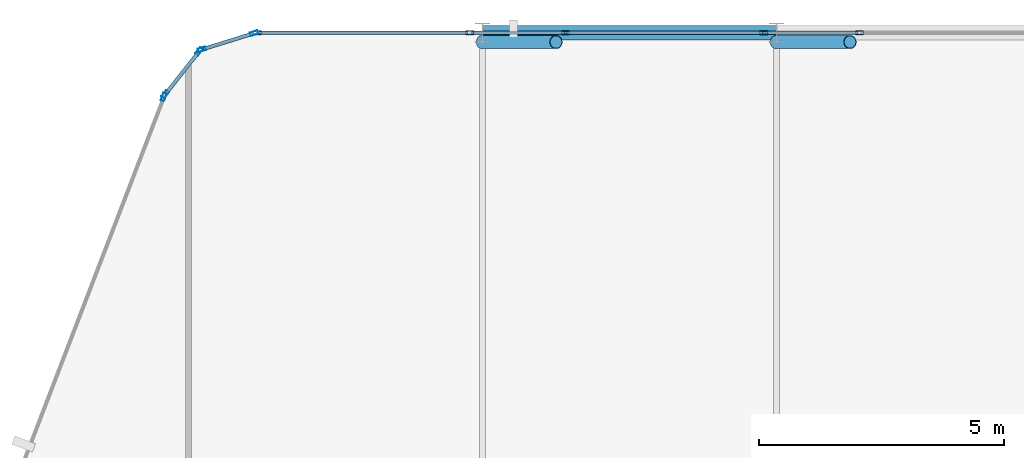
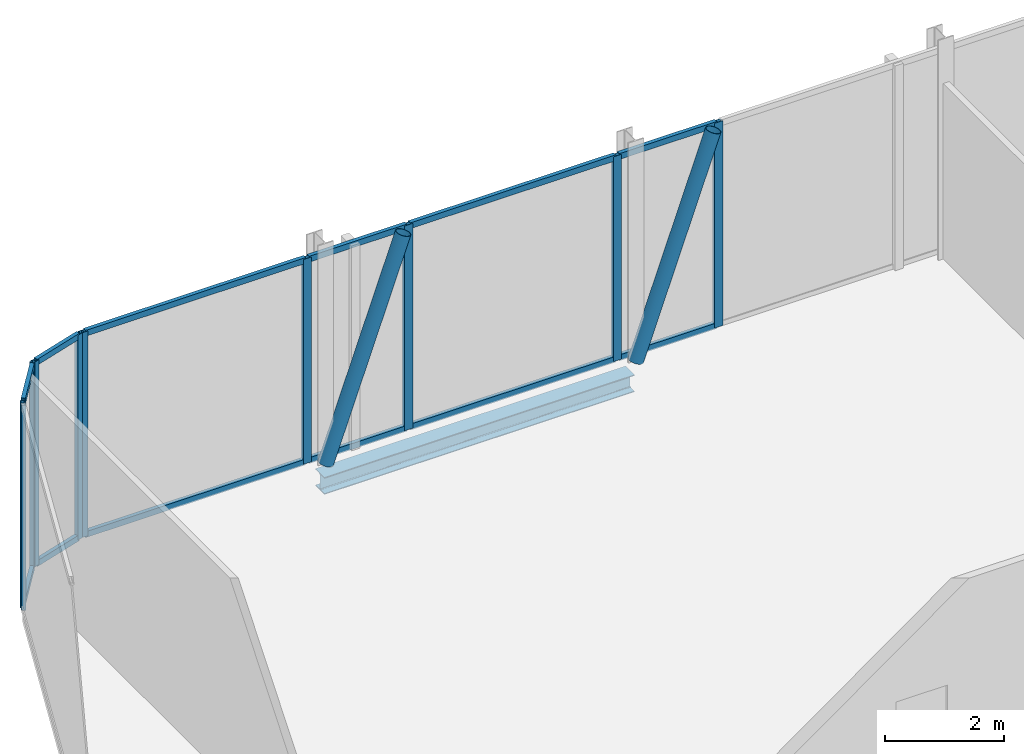
# One storey, part 14 of 24: 24 members, 1 beam, 7 elements without a shape of their own.
"""IFC4 building model written with IfcOpenShell, lengths in metres."""

from ifc_helpers import new_model, si_unit, direction, frame, origin, origin_2d, place, context, subcontext, project, spatial, hollow_rectangle, hollow_circle, i_section, extrude, material, layer, layer_set, material_profile, profile_set, type_object, element, aggregate, save


model = new_model("IFC4")

# Units and contexts
model_context = context("Model", 3, precision=1e-05, world=origin(), true_north=direction((0.0, 1.0)))
body_context = subcontext(model_context, "Body", "Model", "MODEL_VIEW")
ifc_project = project(units=[si_unit("LENGTHUNIT", "METRE"), si_unit("AREAUNIT", "SQUARE_METRE"), si_unit("VOLUMEUNIT", "CUBIC_METRE"), si_unit("PLANEANGLEUNIT", "RADIAN"), si_unit("MASSUNIT", "GRAM", prefix="KILO")], contexts=[model_context])

# Site, building, storey
site_placement = place(None, origin())
site = spatial("IfcSite", under=ifc_project, at=site_placement, CompositionType="ELEMENT")
building_placement = place(site_placement, origin())
building = spatial("IfcBuilding", under=site, at=building_placement, Name="Keshet Zoharim Tower", CompositionType="ELEMENT")
storey_placement = place(building_placement, frame((0.0, 0.0, 242.800048828125)))
storey = spatial("IfcBuildingStorey", under=building, at=storey_placement, Name="L60", CompositionType="ELEMENT", Elevation=242.800048828125)

# Beam
ifc_material_1 = material(Name="Steel S355", Category="steel")
ifc_material_profile_1 = material_profile(ifc_material_1, i_section(OverallWidth=0.300048828125, OverallDepth=0.35009765625, WebThickness=0.010009765625, FlangeThickness=0.017578125, FilletRadius=0.027099609375, at=origin_2d()), Name="HEA360")
ifc_profile_set_1 = profile_set([ifc_material_profile_1], Name="Steel S355")
beam_type = type_object("IfcBeamType", Name="BM-PRI-HA360", PredefinedType="BEAM", material=ifc_profile_set_1)
beam_placement = place(storey_placement, frame((21.0, 53.89990234375, -0.4951171875), z_axis=(1.0, 0.0, 0.0), x_axis=(0.0, 1.0, 0.0)))
element("IfcBeam", 1, at=beam_placement, inside=storey, type_object=beam_type, Name="L60 Primary Girder X-010", PredefinedType="BEAM", context=body_context, shape_type="SweptSolid", body=[
    extrude(i_section(OverallWidth=0.300048828125, OverallDepth=0.35009765625, WebThickness=0.010009765625, FlangeThickness=0.017578125, FilletRadius=0.027099609375, at=origin_2d()), origin(), (0.0, 0.0, 1.0), 6.0),
])

# Curtain wall, member
ifc_material_2 = material(Name="Aluminium 6063-T6", Category="aluminium")
ifc_layer = layer(ifc_material_2, 0.260009765625)
ifc_layer_set = layer_set([ifc_layer], Name="Aluminium 6063-T6")
curtain_wall_type = type_object("IfcCurtainWallType", Name="CW-SYS-06", PredefinedType="NOTDEFINED", material=ifc_layer_set)
curtain_wall_1_placement = place(storey_placement, origin())
curtain_wall_1 = element("IfcCurtainWall", 2, at=curtain_wall_1_placement, inside=storey, type_object=curtain_wall_type, Name="L60 Unitised Curtain Wall 03", PredefinedType="NOTDEFINED")
ifc_material_profile_2 = material_profile(ifc_material_2, hollow_rectangle(XDim=0.074951171875, YDim=0.159912109375, WallThickness=0.00390625, at=origin_2d()), Name="MUL-75x160")
ifc_profile_set_2 = profile_set([ifc_material_profile_2], Name="Aluminium 6063-T6")
member_type_1 = type_object("IfcMemberType", Name="CWM-M15", PredefinedType="MULLION", material=ifc_profile_set_2)
member_1_placement = place(storey_placement, frame((14.494384765625, 52.58544921875, 0.0), z_axis=(0.0, 0.0, 1.0), x_axis=(-0.933341404361, 0.358990003907, 0.0)))
member_1 = element("IfcMember", 3, at=member_1_placement, type_object=member_type_1, Name="CW-06 mullion 4", PredefinedType="MULLION", context=body_context, shape_type="SweptSolid", body=[
    extrude(hollow_rectangle(XDim=0.074951171875, YDim=0.159912109375, WallThickness=0.00390625, at=origin_2d()), origin(), (0.0, 0.0, 1.0), 4.18994140625),
])
aggregate(curtain_wall_1, [member_1])

# Curtain wall, members
curtain_wall_2_placement = place(storey_placement, origin())
curtain_wall_2 = element("IfcCurtainWall", 4, at=curtain_wall_2_placement, inside=storey, type_object=curtain_wall_type, Name="L60 Unitised Curtain Wall 04", PredefinedType="NOTDEFINED")
member_2_placement = place(storey_placement, frame((14.528564453125, 52.6455078125, 0.0), z_axis=(0.0, 0.0, 1.0), x_axis=(-0.785292825205, 0.619124525989, 0.0)))
member_2 = element("IfcMember", 5, at=member_2_placement, type_object=member_type_1, Name="CW-06 mullion 1", PredefinedType="MULLION", context=body_context, shape_type="SweptSolid", body=[
    extrude(hollow_rectangle(XDim=0.074951171875, YDim=0.159912109375, WallThickness=0.00390625, at=origin_2d()), origin(), (0.0, 0.0, 1.0), 4.18994140625),
])
member_3_placement = place(storey_placement, frame((15.21923828125, 53.521484375, 0.0), z_axis=(0.0, 0.0, 1.0), x_axis=(-0.785292825205, 0.619124525989, 0.0)))
member_3 = element("IfcMember", 6, at=member_3_placement, type_object=member_type_1, Name="CW-06 mullion 2", PredefinedType="MULLION", context=body_context, shape_type="SweptSolid", body=[
    extrude(hollow_rectangle(XDim=0.074951171875, YDim=0.159912109375, WallThickness=0.00390625, at=origin_2d()), origin(), (0.0, 0.0, 1.0), 4.18994140625),
])

curtain_wall_3_placement = place(storey_placement, origin())
curtain_wall_3 = element("IfcCurtainWall", 7, at=curtain_wall_3_placement, inside=storey, type_object=curtain_wall_type, Name="L60 Unitised Curtain Wall 05", PredefinedType="NOTDEFINED")
member_4_placement = place(storey_placement, frame((15.2744140625, 53.559326171875, 0.0), z_axis=(0.0, 0.0, 1.0), x_axis=(-0.295921857984, 0.955212151288, 0.0)))
member_4 = element("IfcMember", 8, at=member_4_placement, type_object=member_type_1, Name="CW-06 mullion 1", PredefinedType="MULLION", context=body_context, shape_type="SweptSolid", body=[
    extrude(hollow_rectangle(XDim=0.074951171875, YDim=0.159912109375, WallThickness=0.00390625, at=origin_2d()), origin(), (0.0, 0.0, 1.0), 4.18994140625),
])
member_5_placement = place(storey_placement, frame((16.340576171875, 53.8896484375, 0.0), z_axis=(0.0, 0.0, 1.0), x_axis=(-0.295921857984, 0.955212151288, 0.0)))
member_5 = element("IfcMember", 9, at=member_5_placement, type_object=member_type_1, Name="CW-06 mullion 2", PredefinedType="MULLION", context=body_context, shape_type="SweptSolid", body=[
    extrude(hollow_rectangle(XDim=0.074951171875, YDim=0.159912109375, WallThickness=0.00390625, at=origin_2d()), origin(), (0.0, 0.0, 1.0), 4.18994140625),
])

curtain_wall_4_placement = place(storey_placement, origin())
curtain_wall_4 = element("IfcCurtainWall", 10, at=curtain_wall_4_placement, inside=storey, type_object=curtain_wall_type, Name="L60 Unitised Curtain Wall 06", PredefinedType="NOTDEFINED")
member_6_placement = place(storey_placement, frame((16.408935546875, 53.89990234375, 0.0), z_axis=(0.0, 0.0, 1.0), x_axis=(0.0, 1.0, 0.0)))
member_6 = element("IfcMember", 11, at=member_6_placement, type_object=member_type_1, Name="CW-06 mullion 1", PredefinedType="MULLION", context=body_context, shape_type="SweptSolid", body=[
    extrude(hollow_rectangle(XDim=0.074951171875, YDim=0.159912109375, WallThickness=0.00390625, at=origin_2d()), origin(), (0.0, 0.0, 1.0), 4.18994140625),
])
member_7_placement = place(storey_placement, frame((20.736572265625, 53.89990234375, 0.0), z_axis=(0.0, 0.0, 1.0), x_axis=(0.0, 1.0, 0.0)))
member_7 = element("IfcMember", 12, at=member_7_placement, type_object=member_type_1, Name="CW-06 mullion 2", PredefinedType="MULLION", context=body_context, shape_type="SweptSolid", body=[
    extrude(hollow_rectangle(XDim=0.074951171875, YDim=0.159912109375, WallThickness=0.00390625, at=origin_2d()), origin(), (0.0, 0.0, 1.0), 4.18994140625),
])

# Curtain wall, member
curtain_wall_5_placement = place(storey_placement, origin())
curtain_wall_5 = element("IfcCurtainWall", 13, at=curtain_wall_5_placement, inside=storey, type_object=curtain_wall_type, Name="L60 Unitised Curtain Wall 06 Part 2", PredefinedType="NOTDEFINED")
member_8_placement = place(storey_placement, frame((22.693603515625, 53.89990234375, 0.0), z_axis=(0.0, 0.0, 1.0), x_axis=(0.0, 1.0, 0.0)))
member_8 = element("IfcMember", 14, at=member_8_placement, type_object=member_type_1, Name="CW-06 mullion 2", PredefinedType="MULLION", context=body_context, shape_type="SweptSolid", body=[
    extrude(hollow_rectangle(XDim=0.074951171875, YDim=0.159912109375, WallThickness=0.00390625, at=origin_2d()), origin(), (0.0, 0.0, 1.0), 4.18994140625),
])

curtain_wall_6_placement = place(storey_placement, origin())
curtain_wall_6 = element("IfcCurtainWall", 15, at=curtain_wall_6_placement, inside=storey, type_object=curtain_wall_type, Name="L60 Unitised Curtain Wall 06 Part 3", PredefinedType="NOTDEFINED")
member_9_placement = place(storey_placement, frame((26.736572265625, 53.89990234375, 0.0), z_axis=(0.0, 0.0, 1.0), x_axis=(0.0, 1.0, 0.0)))
member_9 = element("IfcMember", 16, at=member_9_placement, type_object=member_type_1, Name="CW-06 mullion 2", PredefinedType="MULLION", context=body_context, shape_type="SweptSolid", body=[
    extrude(hollow_rectangle(XDim=0.074951171875, YDim=0.159912109375, WallThickness=0.00390625, at=origin_2d()), origin(), (0.0, 0.0, 1.0), 4.18994140625),
])

curtain_wall_7_placement = place(storey_placement, origin())
curtain_wall_7 = element("IfcCurtainWall", 17, at=curtain_wall_7_placement, inside=storey, type_object=curtain_wall_type, Name="L60 Unitised Curtain Wall 06 Part 4", PredefinedType="NOTDEFINED")
member_10_placement = place(storey_placement, frame((28.693603515625, 53.89990234375, 0.0), z_axis=(0.0, 0.0, 1.0), x_axis=(0.0, 1.0, 0.0)))
member_10 = element("IfcMember", 18, at=member_10_placement, type_object=member_type_1, Name="CW-06 mullion 2", PredefinedType="MULLION", context=body_context, shape_type="SweptSolid", body=[
    extrude(hollow_rectangle(XDim=0.074951171875, YDim=0.159912109375, WallThickness=0.00390625, at=origin_2d()), origin(), (0.0, 0.0, 1.0), 4.18994140625),
])

# Member
ifc_material_profile_3 = material_profile(ifc_material_2, hollow_rectangle(XDim=0.074951171875, YDim=0.1201171875, WallThickness=0.00390625, at=origin_2d()), Name="TRN-75x120")
ifc_profile_set_3 = profile_set([ifc_material_profile_3], Name="Aluminium 6063-T6")
member_type_2 = type_object("IfcMemberType", Name="CWT-T12", PredefinedType="USERDEFINED", material=ifc_profile_set_3)
member_11_placement = place(storey_placement, frame((14.55029296875, 52.6728515625, 0.034912109375), z_axis=(0.619099165969, 0.78531281837, 0.0), x_axis=(-0.78531281837, 0.619099165969, 0.0)))
member_11 = element("IfcMember", 19, at=member_11_placement, type_object=member_type_2, Name="CW-06 transom 1.1", ObjectType="TRANSOM", PredefinedType="USERDEFINED", context=body_context, shape_type="SweptSolid", body=[
    extrude(hollow_rectangle(XDim=0.074951171875, YDim=0.1201171875, WallThickness=0.00390625, at=origin_2d()), origin(), (0.0, 0.0, 1.0), 1.0458984375),
])

member_12_placement = place(storey_placement, frame((14.55029296875, 52.6728515625, 4.155029296875), z_axis=(0.619099165969, 0.78531281837, 0.0), x_axis=(-0.78531281837, 0.619099165969, 0.0)))
member_12 = element("IfcMember", 20, at=member_12_placement, type_object=member_type_2, Name="CW-06 transom 1.2", ObjectType="TRANSOM", PredefinedType="USERDEFINED", context=body_context, shape_type="SweptSolid", body=[
    extrude(hollow_rectangle(XDim=0.074951171875, YDim=0.1201171875, WallThickness=0.00390625, at=origin_2d()), origin(), (0.0, 0.0, 1.0), 1.0458984375),
])

aggregate(curtain_wall_2, [member_2, member_3, member_11, member_12])

member_13_placement = place(storey_placement, frame((15.307861328125, 53.56982421875, 0.034912109375), z_axis=(0.955212093062, 0.295922045933, 0.0), x_axis=(-0.295922045933, 0.955212093062, 0.0)))
member_13 = element("IfcMember", 21, at=member_13_placement, type_object=member_type_2, Name="CW-06 transom 1.1", ObjectType="TRANSOM", PredefinedType="USERDEFINED", context=body_context, shape_type="SweptSolid", body=[
    extrude(hollow_rectangle(XDim=0.074951171875, YDim=0.1201171875, WallThickness=0.00390625, at=origin_2d()), origin(), (0.0, 0.0, 1.0), 1.046142578125),
])

member_14_placement = place(storey_placement, frame((15.307861328125, 53.56982421875, 4.155029296875), z_axis=(0.955212093062, 0.295922045933, 0.0), x_axis=(-0.295922045933, 0.955212093062, 0.0)))
member_14 = element("IfcMember", 22, at=member_14_placement, type_object=member_type_2, Name="CW-06 transom 1.2", ObjectType="TRANSOM", PredefinedType="USERDEFINED", context=body_context, shape_type="SweptSolid", body=[
    extrude(hollow_rectangle(XDim=0.074951171875, YDim=0.1201171875, WallThickness=0.00390625, at=origin_2d()), origin(), (0.0, 0.0, 1.0), 1.046142578125),
])

aggregate(curtain_wall_3, [member_4, member_5, member_13, member_14])

member_15_placement = place(storey_placement, frame((16.444091796875, 53.89990234375, 0.034912109375), z_axis=(1.0, 0.0, 0.0), x_axis=(0.0, 1.0, 0.0)))
member_15 = element("IfcMember", 23, at=member_15_placement, type_object=member_type_2, Name="CW-06 transom 1.1", ObjectType="TRANSOM", PredefinedType="USERDEFINED", context=body_context, shape_type="SweptSolid", body=[
    extrude(hollow_rectangle(XDim=0.074951171875, YDim=0.1201171875, WallThickness=0.00390625, at=origin_2d()), origin(), (0.0, 0.0, 1.0), 4.25732421875),
])

member_16_placement = place(storey_placement, frame((16.444091796875, 53.89990234375, 4.155029296875), z_axis=(1.0, 0.0, 0.0), x_axis=(0.0, 1.0, 0.0)))
member_16 = element("IfcMember", 24, at=member_16_placement, type_object=member_type_2, Name="CW-06 transom 1.2", ObjectType="TRANSOM", PredefinedType="USERDEFINED", context=body_context, shape_type="SweptSolid", body=[
    extrude(hollow_rectangle(XDim=0.074951171875, YDim=0.1201171875, WallThickness=0.00390625, at=origin_2d()), origin(), (0.0, 0.0, 1.0), 4.25732421875),
])

aggregate(curtain_wall_4, [member_6, member_7, member_15, member_16])

member_17_placement = place(storey_placement, frame((20.771484375, 53.89990234375, 0.034912109375), z_axis=(1.0, 0.0, 0.0), x_axis=(0.0, 1.0, 0.0)))
member_17 = element("IfcMember", 25, at=member_17_placement, type_object=member_type_2, Name="CW-06 transom 1.1", ObjectType="TRANSOM", PredefinedType="USERDEFINED", context=body_context, shape_type="SweptSolid", body=[
    extrude(hollow_rectangle(XDim=0.074951171875, YDim=0.1201171875, WallThickness=0.00390625, at=origin_2d()), origin(), (0.0, 0.0, 1.0), 1.886962890625),
])

member_18_placement = place(storey_placement, frame((20.771484375, 53.89990234375, 4.155029296875), z_axis=(1.0, 0.0, 0.0), x_axis=(0.0, 1.0, 0.0)))
member_18 = element("IfcMember", 26, at=member_18_placement, type_object=member_type_2, Name="CW-06 transom 1.2", ObjectType="TRANSOM", PredefinedType="USERDEFINED", context=body_context, shape_type="SweptSolid", body=[
    extrude(hollow_rectangle(XDim=0.074951171875, YDim=0.1201171875, WallThickness=0.00390625, at=origin_2d()), origin(), (0.0, 0.0, 1.0), 1.886962890625),
])

aggregate(curtain_wall_5, [member_8, member_17, member_18])

member_19_placement = place(storey_placement, frame((22.728515625, 53.89990234375, 0.034912109375), z_axis=(1.0, 0.0, 0.0), x_axis=(0.0, 1.0, 0.0)))
member_19 = element("IfcMember", 27, at=member_19_placement, type_object=member_type_2, Name="CW-06 transom 1.1", ObjectType="TRANSOM", PredefinedType="USERDEFINED", context=body_context, shape_type="SweptSolid", body=[
    extrude(hollow_rectangle(XDim=0.074951171875, YDim=0.1201171875, WallThickness=0.00390625, at=origin_2d()), origin(), (0.0, 0.0, 1.0), 3.972900390625),
])

member_20_placement = place(storey_placement, frame((22.728515625, 53.89990234375, 4.155029296875), z_axis=(1.0, 0.0, 0.0), x_axis=(0.0, 1.0, 0.0)))
member_20 = element("IfcMember", 28, at=member_20_placement, type_object=member_type_2, Name="CW-06 transom 1.2", ObjectType="TRANSOM", PredefinedType="USERDEFINED", context=body_context, shape_type="SweptSolid", body=[
    extrude(hollow_rectangle(XDim=0.074951171875, YDim=0.1201171875, WallThickness=0.00390625, at=origin_2d()), origin(), (0.0, 0.0, 1.0), 3.972900390625),
])

aggregate(curtain_wall_6, [member_9, member_19, member_20])

member_21_placement = place(storey_placement, frame((26.771484375, 53.89990234375, 0.034912109375), z_axis=(1.0, 0.0, 0.0), x_axis=(0.0, 1.0, 0.0)))
member_21 = element("IfcMember", 29, at=member_21_placement, type_object=member_type_2, Name="CW-06 transom 1.1", ObjectType="TRANSOM", PredefinedType="USERDEFINED", context=body_context, shape_type="SweptSolid", body=[
    extrude(hollow_rectangle(XDim=0.074951171875, YDim=0.1201171875, WallThickness=0.00390625, at=origin_2d()), origin(), (0.0, 0.0, 1.0), 1.886962890625),
])

member_22_placement = place(storey_placement, frame((26.771484375, 53.89990234375, 4.155029296875), z_axis=(1.0, 0.0, 0.0), x_axis=(0.0, 1.0, 0.0)))
member_22 = element("IfcMember", 30, at=member_22_placement, type_object=member_type_2, Name="CW-06 transom 1.2", ObjectType="TRANSOM", PredefinedType="USERDEFINED", context=body_context, shape_type="SweptSolid", body=[
    extrude(hollow_rectangle(XDim=0.074951171875, YDim=0.1201171875, WallThickness=0.00390625, at=origin_2d()), origin(), (0.0, 0.0, 1.0), 1.886962890625),
])

aggregate(curtain_wall_7, [member_10, member_21, member_22])

# Members
ifc_material_profile_4 = material_profile(ifc_material_1, hollow_circle(Radius=0.136474609375, WallThickness=0.010009765625, at=origin_2d()), Name="CHS273x10")
ifc_profile_set_4 = profile_set([ifc_material_profile_4], Name="Steel S355")
member_type_3 = type_object("IfcMemberType", Name="MB-BR-C273", PredefinedType="BRACE", material=ifc_profile_set_4)
for number, where, z_axis, x_axis, name in (
    (31, (21.0, 53.7099609375, 0.0), (0.337052194166, 0.0, 0.941485962937), (0.0, 1.0, 0.0), "L60 Perimeter Tube Brace 02"),
    (32, (27.0, 53.7099609375, 0.0), (0.337052194166, 0.0, 0.941485962937), (0.0, 1.0, 0.0), "L60 Perimeter Tube Brace 03"),
):
    element("IfcMember", number, at=place(storey_placement, frame(where, z_axis=z_axis, x_axis=x_axis)), inside=storey, type_object=member_type_3, Name=name, PredefinedType="BRACE", context=body_context, shape_type="SweptSolid", body=[
        extrude(hollow_circle(Radius=0.136474609375, WallThickness=0.010009765625, at=origin_2d()), origin(), (0.0, 0.0, 1.0), 4.450439453125),
    ])

save(model, "model.ifc")
